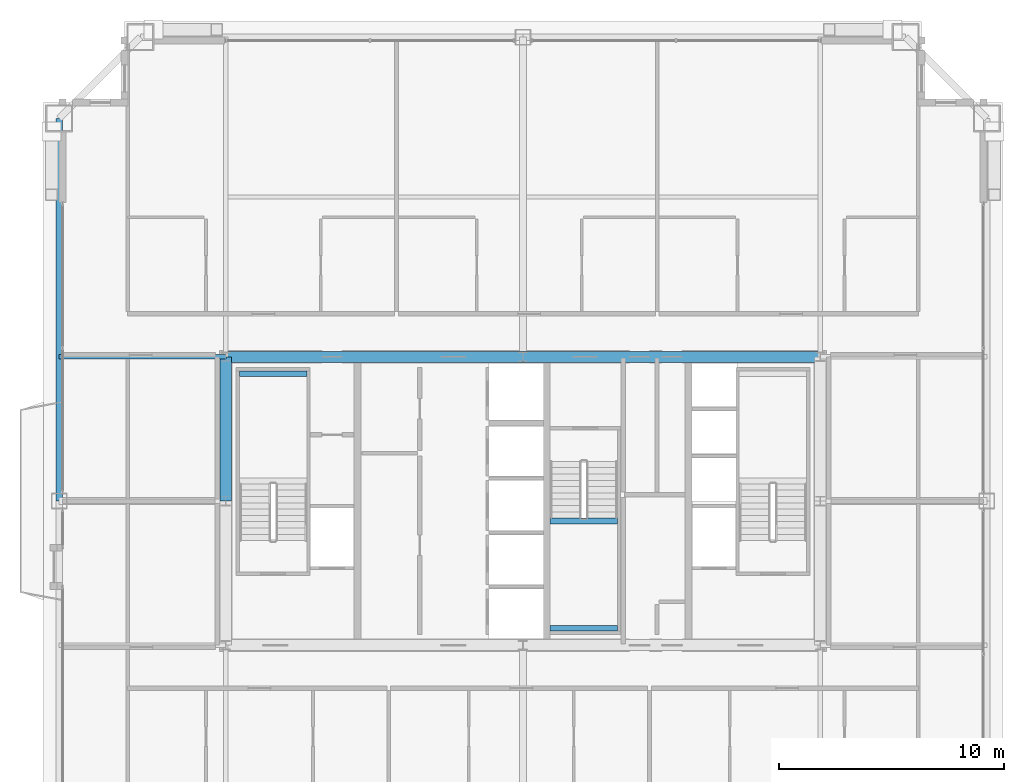
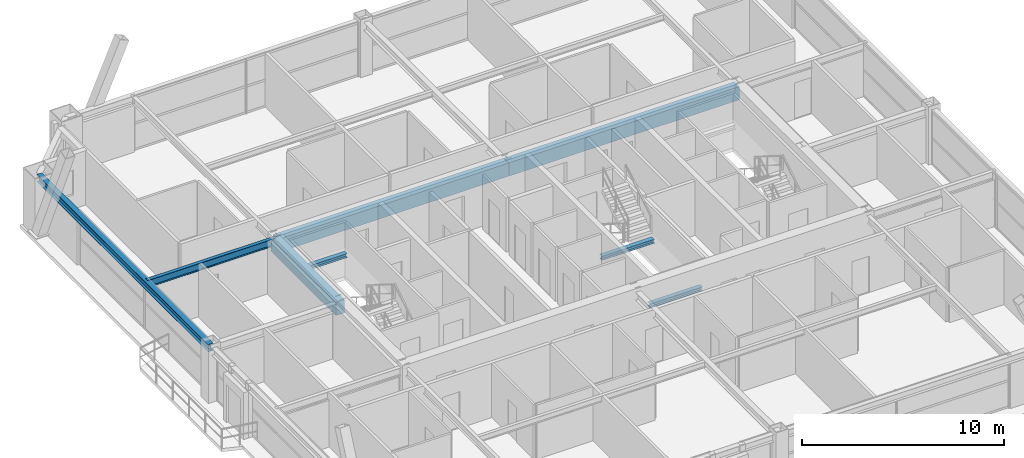
# One storey, part 11 of 33: 8 beams.
"""IFC4 building model written with IfcOpenShell, lengths in metres."""

from ifc_helpers import new_model, si_unit, direction, frame, origin, origin_2d, place, context, subcontext, project, spatial, rectangle, i_section, extrude, source, transform, mapped, material, material_profile, profile_set, type_object, element, save


model = new_model("IFC4")

# Units and contexts
model_context = context("Model", 3, precision=1e-05, world=origin(), true_north=direction((0.0, 1.0)))
body_context = subcontext(model_context, "Body", "Model", "MODEL_VIEW")
ifc_project = project(units=[si_unit("LENGTHUNIT", "METRE"), si_unit("AREAUNIT", "SQUARE_METRE"), si_unit("VOLUMEUNIT", "CUBIC_METRE"), si_unit("PLANEANGLEUNIT", "RADIAN"), si_unit("MASSUNIT", "GRAM", prefix="KILO"), si_unit("THERMODYNAMICTEMPERATUREUNIT", "KELVIN"), si_unit("POWERUNIT", "WATT")], contexts=[model_context])

# Site, building, storey
site_placement = place(None, origin())
site = spatial("IfcSite", under=ifc_project, at=site_placement, CompositionType="ELEMENT")
building_placement = place(site_placement, origin())
building = spatial("IfcBuilding", under=site, at=building_placement, Name="Yuzanri Waterfront Tower", CompositionType="ELEMENT")
storey_placement = place(building_placement, frame((0.0, 0.0, 234.60009765625)))
storey = spatial("IfcBuildingStorey", under=building, at=storey_placement, Name="L62", CompositionType="ELEMENT", Elevation=234.60009765625)

# Beams
ifc_material_1 = material(Name="Concrete C50", Category="concrete")
ifc_material_profile_1 = material_profile(ifc_material_1, rectangle(XDim=0.5, YDim=0.800048828125, at=origin_2d()), Name="RC 500x800")
ifc_profile_set_1 = profile_set([ifc_material_profile_1], Name="Concrete C50")
beam_type_1 = type_object("IfcBeamType", Name="Core Coupling Lintel Concrete C50 500x800", PredefinedType="LINTEL", material=ifc_profile_set_1)
shared_shape_1 = source(origin(), body_context, "Body", "SweptSolid", [
    extrude(rectangle(XDim=0.5, YDim=0.800048828125, at=origin_2d()), origin(), (0.0, 0.0, 1.0), 13.199951171875),
])
for number, where, z_axis, x_axis, name in (
    (1, (23.800048828125, 32.199951171875, 2.8798828125), (1.0, 0.0, 0.0), (0.0, 1.0, 0.0), "L62 Core Tie Beam CN1"),
    (2, (37.0, 32.199951171875, 2.8798828125), (1.0, 0.0, 0.0), (0.0, 1.0, 0.0), "L62 Core Tie Beam CN2"),
):
    element("IfcBeam", number, at=place(storey_placement, frame(where, z_axis=z_axis, x_axis=x_axis)), inside=storey, type_object=beam_type_1, Name=name, PredefinedType="LINTEL", context=body_context, shape_type="MappedRepresentation", body=[
        mapped(shared_shape_1, transform((0.0, 0.0, 0.0), scale=1.0)),
    ])
shared_shape_2 = source(origin(), body_context, "Body", "SweptSolid", [
    extrude(rectangle(XDim=0.5, YDim=0.800048828125, at=origin_2d()), origin(), (0.0, 0.0, 1.0), 6.39990234375),
])
beam_1_placement = place(storey_placement, frame((23.800048828125, 25.800048828125, 2.8798828125), z_axis=(0.0, 1.0, 0.0), x_axis=(-1.0, 0.0, 0.0)))
element("IfcBeam", 3, at=beam_1_placement, inside=storey, type_object=beam_type_1, Name="L62 Core Tie Beam CW2", PredefinedType="LINTEL", context=body_context, shape_type="MappedRepresentation", body=[
    mapped(shared_shape_2, transform((0.0, 0.0, 0.0), scale=1.0)),
])
ifc_material_2 = material(Name="Steel Q355B", Category="steel")
ifc_material_profile_2 = material_profile(ifc_material_2, i_section(OverallWidth=0.300048828125, OverallDepth=0.43994140625, WebThickness=0.010986328125, FlangeThickness=0.01806640625, at=origin_2d()), Name="HM 440x300x11x18")
ifc_profile_set_2 = profile_set([ifc_material_profile_2], Name="Steel Q355B")
beam_type_2 = type_object("IfcBeamType", Name="Perimeter Spandrel Q355B HM 440x300", PredefinedType="SPANDREL", material=ifc_profile_set_2)
shared_shape_3 = source(origin(), body_context, "Body", "SweptSolid", [
    extrude(i_section(OverallWidth=0.300048828125, OverallDepth=0.43994140625, WebThickness=0.010986328125, FlangeThickness=0.01806640625, at=origin_2d()), origin(), (0.0, 0.0, 1.0), 17.0),
])
beam_2_placement = place(storey_placement, frame((16.39990234375, 42.800048828125, 3.059814453125), z_axis=(0.0, -1.0, 0.0), x_axis=(1.0, 0.0, 0.0)))
element("IfcBeam", 4, at=beam_2_placement, inside=storey, type_object=beam_type_2, Name="L62 Perimeter Spandrel W3-W2", PredefinedType="SPANDREL", context=body_context, shape_type="MappedRepresentation", body=[
    mapped(shared_shape_3, transform((0.0, 0.0, 0.0), scale=1.0)),
])
ifc_material_3 = material(Name="Steel Q355B", Category="steel")
ifc_material_profile_3 = material_profile(ifc_material_3, i_section(OverallWidth=0.199951171875, OverallDepth=0.449951171875, WebThickness=0.009033203125, FlangeThickness=0.013916015625, at=origin_2d()), Name="HN 450x200x9x14")
ifc_profile_set_3 = profile_set([ifc_material_profile_3], Name="Steel Q355B")
beam_type_3 = type_object("IfcBeamType", Name="Secondary Floor Beam Q355B HN 450x200", PredefinedType="BEAM", material=ifc_profile_set_3)
shared_shape_4 = source(origin(), body_context, "Body", "SweptSolid", [
    extrude(i_section(OverallWidth=0.199951171875, OverallDepth=0.449951171875, WebThickness=0.009033203125, FlangeThickness=0.013916015625, at=origin_2d()), origin(), (0.0, 0.0, 1.0), 7.400146484375),
])
beam_3_placement = place(storey_placement, frame((23.800048828125, 32.199951171875, 3.054931640625), z_axis=(-1.0, 0.0, 0.0), x_axis=(0.0, -1.0, 0.0)))
element("IfcBeam", 5, at=beam_3_placement, inside=storey, type_object=beam_type_3, Name="L62 West-North Core Line Beam", PredefinedType="BEAM", context=body_context, shape_type="MappedRepresentation", body=[
    mapped(shared_shape_4, transform((0.0, 0.0, 0.0), scale=1.0)),
])
ifc_material_4 = material(Name="Steel Q355B", Category="steel")
ifc_material_profile_4 = material_profile(ifc_material_4, i_section(OverallWidth=0.25, OverallDepth=0.25, WebThickness=0.009033203125, FlangeThickness=0.013916015625, at=origin_2d()), Name="HW 250x250x9x14")
ifc_profile_set_4 = profile_set([ifc_material_profile_4], Name="Steel Q355B")
beam_type_4 = type_object("IfcBeamType", Name="Stair Landing Support Beam Q355B HW 250x250", PredefinedType="BEAM", material=ifc_profile_set_4)
shared_shape_5 = source(origin(), body_context, "Body", "SweptSolid", [
    extrude(i_section(OverallWidth=0.25, OverallDepth=0.25, WebThickness=0.009033203125, FlangeThickness=0.013916015625, at=origin_2d()), origin(), (0.0, 0.0, 1.0), 3.0),
])
for number, where, z_axis, x_axis, name in (
    (6, (24.39990234375, 31.449951171875, 1.4248046875), (1.0, 0.0, 0.0), (0.0, 1.0, 0.0), "L62 Stair Landing Support Beam ST-01-L62-L1-2"),
    (7, (38.199951171875, 20.14990234375, 1.4248046875), (1.0, 0.0, 0.0), (0.0, 1.0, 0.0), "L62 Stair Landing Support Beam ST-03-L62-L1-1"),
    (8, (38.199951171875, 24.909912109375, 1.4248046875), (1.0, 0.0, 0.0), (0.0, 1.0, 0.0), "L62 Stair Landing Support Beam ST-03-L62-L1-2"),
):
    element("IfcBeam", number, at=place(storey_placement, frame(where, z_axis=z_axis, x_axis=x_axis)), inside=storey, type_object=beam_type_4, Name=name, PredefinedType="BEAM", context=body_context, shape_type="MappedRepresentation", body=[
        mapped(shared_shape_5, transform((0.0, 0.0, 0.0), scale=1.0)),
    ])

save(model, "model.ifc")
